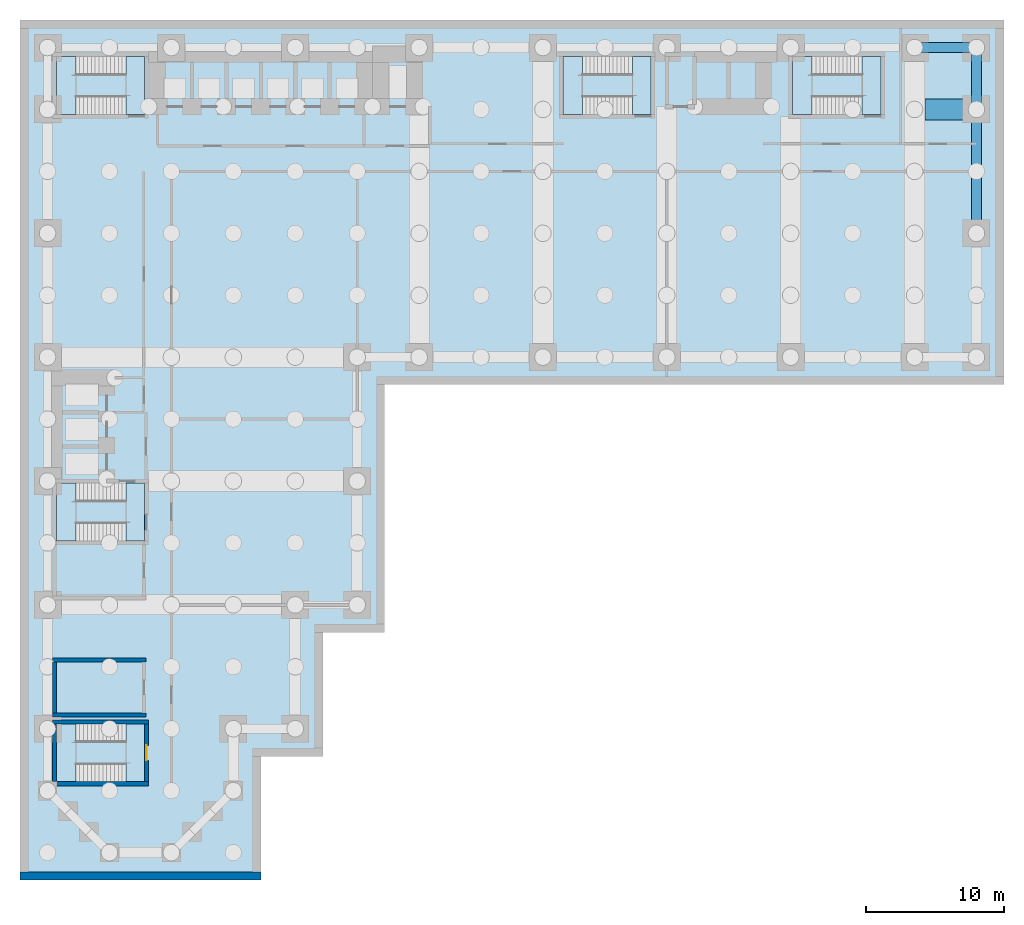
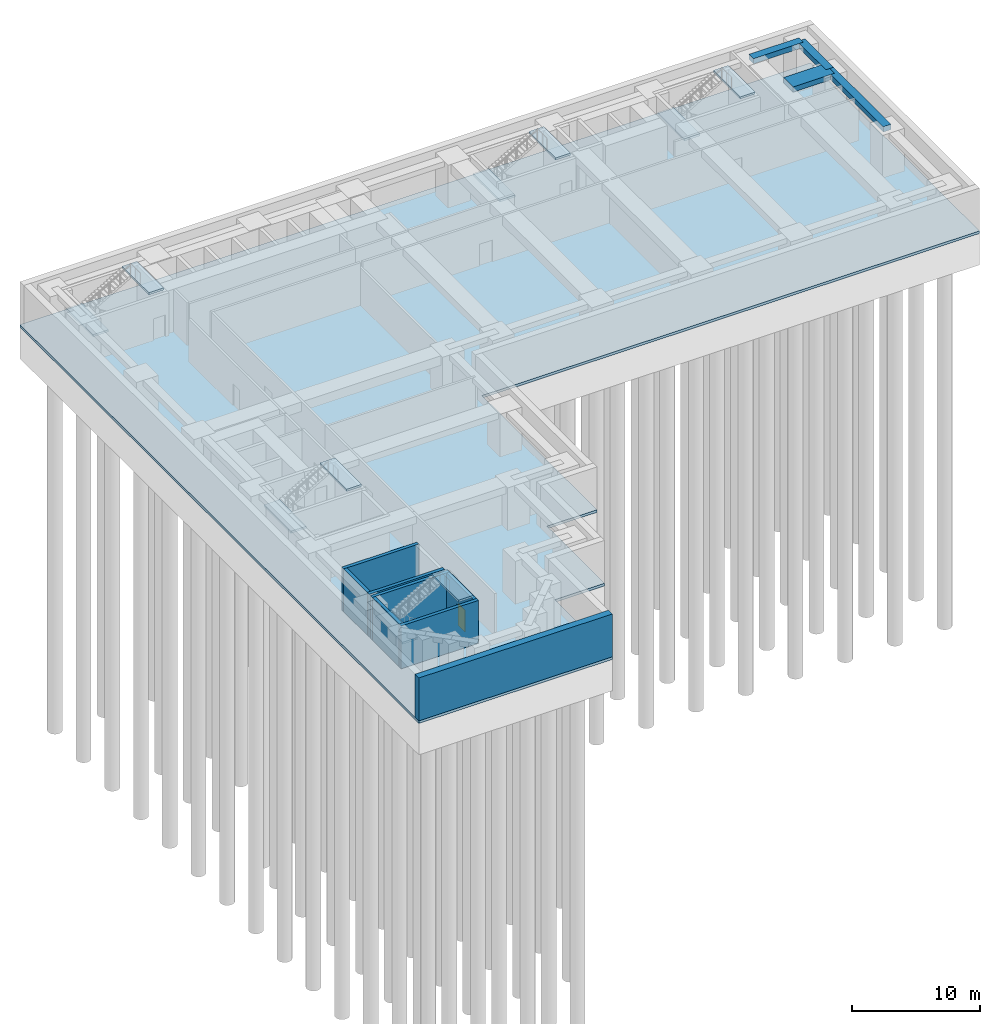
# One storey, part 2 of 7: 11 slabs, 8 walls, 4 beams, 1 door, 1 opening, 5 elements without a shape of their own.
"""IFC4 building model written with IfcOpenShell, lengths in metres."""

import ifcopenshell
import ifcopenshell.guid

model = None  # the IFC model being written
_history = None  # IfcOwnerHistory: only IFC2X3 demands one
_inside = {}  # id of a spatial element -> (the spatial element, [elements in it])
_under = {}  # id of a project, library or spatial element -> (it, [spatial elements below it])
_declared = {}  # id of a project -> (the project, [libraries it declares])
_typed = {}  # id of a type object -> (the type object, [elements of that type])
_made_of = {}  # id of a material, layer set ... -> (it, [elements and type objects made of it])


def new_model(schema):
    """Start an empty IFC model of exactly this schema.

    Asked for "IFC4X3", IfcOpenShell would pick the latest addendum, in which some entities
    have other attributes; the version numbers below select the first issue.
    IFC2X3 requires an IfcOwnerHistory on every rooted entity: one is made here for all.
    """
    global model, _history
    if schema == "IFC4X3":
        model = ifcopenshell.file(schema_version=(4, 3, 0, 0))
    else:
        model = ifcopenshell.file(schema=schema)
    _inside.clear()
    _under.clear()
    _declared.clear()
    _typed.clear()
    _made_of.clear()
    _history = None
    if model.schema == "IFC2X3":
        org = make("IfcOrganization", Name="unknown")
        user = make(
            "IfcPersonAndOrganization",
            ThePerson=make("IfcPerson", FamilyName="unknown"),
            TheOrganization=org,
        )
        app = make(
            "IfcApplication",
            ApplicationDeveloper=org,
            Version="unknown",
            ApplicationFullName="unknown",
            ApplicationIdentifier="unknown",
        )
        _history = make(
            "IfcOwnerHistory",
            OwningUser=user,
            OwningApplication=app,
            ChangeAction="ADDED",
            CreationDate=0,
        )
    return model


def make(cls, **values):
    """One entity of the class cls with the attributes given. An attribute that is None is left unset."""
    return model.create_entity(
        cls, **{name: value for name, value in values.items() if value is not None}
    )


def rooted(cls, **values):
    """An entity with a GlobalId (a new one), such as an element, a storey or a relation."""
    return make(cls, GlobalId=ifcopenshell.guid.new(), OwnerHistory=_history, **values)


def si_unit(unit_type, name, prefix=None):
    """IfcSIUnit, for example si_unit("LENGTHUNIT", "METRE", prefix="MILLI")."""
    return make("IfcSIUnit", UnitType=unit_type, Prefix=prefix, Name=name)


def assignment(units):
    """IfcUnitAssignment: the units of a project."""
    return None if units is None else make("IfcUnitAssignment", Units=units)


def point(xyz):
    """IfcCartesianPoint."""
    return None if xyz is None else make("IfcCartesianPoint", Coordinates=xyz)


def direction(xyz):
    """IfcDirection."""
    return None if xyz is None else make("IfcDirection", DirectionRatios=xyz)


def frame(location, z_axis=None, x_axis=None):
    """IfcAxis2Placement3D, a coordinate frame: its origin and axes. An axis left out is left unset."""
    return make(
        "IfcAxis2Placement3D",
        Location=point(location),
        Axis=direction(z_axis),
        RefDirection=direction(x_axis),
    )


def frame_2d(location, x_axis=None):
    """IfcAxis2Placement2D, a coordinate frame in the plane: its origin and x axis."""
    return make(
        "IfcAxis2Placement2D", Location=point(location), RefDirection=direction(x_axis)
    )


def origin():
    """The frame at (0, 0, 0) with its axes left unset."""
    return frame((0.0, 0.0, 0.0))


def origin_2d():
    """The frame at (0, 0) in the plane with its x axis left unset."""
    return frame_2d((0.0, 0.0))


def place(relative_to, where):
    """IfcLocalPlacement: puts the frame where relative to a parent placement (None: the world)."""
    return make(
        "IfcLocalPlacement", PlacementRelTo=relative_to, RelativePlacement=where
    )


def context(
    kind, dimensions, precision=None, world=None, true_north=None, identifier=None
):
    """IfcGeometricRepresentationContext, for example the 3D "Model" context."""
    return make(
        "IfcGeometricRepresentationContext",
        ContextIdentifier=identifier,
        ContextType=kind,
        CoordinateSpaceDimension=dimensions,
        Precision=precision,
        WorldCoordinateSystem=world,
        TrueNorth=true_north,
    )


def subcontext(parent, identifier, kind, view, scale=None):
    """IfcGeometricRepresentationSubContext, for example "Body" below "Model"."""
    return make(
        "IfcGeometricRepresentationSubContext",
        ContextIdentifier=identifier,
        ContextType=kind,
        ParentContext=parent,
        TargetScale=scale,
        TargetView=view,
    )


def project(units=None, contexts=None):
    """IfcProject with its units and contexts."""
    return rooted(
        "IfcProject",
        Name="project",
        RepresentationContexts=contexts,
        UnitsInContext=assignment(units),
    )


def spatial(cls, under=None, at=None, **own):
    """A site, building, storey or space (cls), placed at a placement, below another one or the project."""
    s = rooted(cls, ObjectPlacement=at, **own)
    if under is not None:
        _under.setdefault(under.id(), (under, []))[1].append(s)
    return s


def polyline(points):
    """IfcPolyline through the points."""
    return make("IfcPolyline", Points=[point(p) for p in points])


def profile(cls, at=None, kind="AREA", **sizes):
    """A parametric profile (cls). Its sizes go by their IFC names, for example OverallWidth=200.0."""
    return make(cls, ProfileType=kind, Position=at, **sizes)


def rectangle(**sizes):
    """IfcRectangleProfileDef."""
    return profile("IfcRectangleProfileDef", **sizes)


def outline(outer, holes=None, kind="AREA"):
    """IfcArbitraryClosedProfileDef: a profile drawn as a closed curve; with holes, ...WithVoids."""
    if holes is None:
        return make("IfcArbitraryClosedProfileDef", ProfileType=kind, OuterCurve=outer)
    return make(
        "IfcArbitraryProfileDefWithVoids",
        ProfileType=kind,
        OuterCurve=outer,
        InnerCurves=holes,
    )


def extrude(swept, where, along, depth):
    """IfcExtrudedAreaSolid: the profile swept, set in the frame where, extruded along a direction by depth."""
    return make(
        "IfcExtrudedAreaSolid",
        SweptArea=swept,
        Position=where,
        ExtrudedDirection=direction(along),
        Depth=depth,
    )


def shape(context_of_items, identifier, shape_type, items):
    """IfcShapeRepresentation: the items that make up one representation, for example the "Body"."""
    return make(
        "IfcShapeRepresentation",
        ContextOfItems=context_of_items,
        RepresentationIdentifier=identifier,
        RepresentationType=shape_type,
        Items=items,
    )


def material(Name=None, Category=None):
    """IfcMaterial."""
    return make("IfcMaterial", Name=Name, Category=Category)


def layer(
    of_material, thickness, ventilated=None, Name=None, Category=None, Priority=None
):
    """IfcMaterialLayer: one layer of a wall or slab, of a material (None: an air gap)."""
    return make(
        "IfcMaterialLayer",
        Material=of_material,
        LayerThickness=thickness,
        IsVentilated=ventilated,
        Name=Name,
        Category=Category,
        Priority=Priority,
    )


def layer_set(layers, Name=None):
    """IfcMaterialLayerSet."""
    return make("IfcMaterialLayerSet", MaterialLayers=layers, LayerSetName=Name)


def material_profile(
    of_material, cross_section, Name=None, Category=None, Priority=None
):
    """IfcMaterialProfile: a cross section and its material."""
    return make(
        "IfcMaterialProfile",
        Name=Name,
        Material=of_material,
        Profile=cross_section,
        Priority=Priority,
        Category=Category,
    )


def profile_set(profiles, Name=None, composite=None):
    """IfcMaterialProfileSet."""
    return make(
        "IfcMaterialProfileSet",
        Name=Name,
        MaterialProfiles=profiles,
        CompositeProfile=composite,
    )


def made_of(thing, what):
    """Note that an element or type object is made of a material, layer set ...; save() writes the relation."""
    if what is not None:
        _made_of.setdefault(what.id(), (what, []))[1].append(thing)
    return thing


def type_object(cls, material=None, **own):
    """A type object (cls), such as IfcWallType, which elements share."""
    return made_of(rooted(cls, **own), material)


def element(
    cls,
    number,
    at=None,
    inside=None,
    cuts=None,
    type_object=None,
    material=None,
    context=None,
    identifier="Body",
    shape_type=None,
    held_by="IfcProductDefinitionShape",
    body=None,
    shapes=None,
    **own,
):
    """One element of the class cls, such as IfcWall. Its Tag is "e" and its number.

    at: its placement. inside: the storey or other place that contains it. cuts: it is an
    opening in that element (IfcRelVoidsElement). A single representation is given by context,
    identifier, shape_type and body (its items); several are given by shapes. held_by: the class
    of the entity that holds the representations. save() writes the other relations.
    """
    e = rooted(cls, Tag="e%d" % number, ObjectPlacement=at, **own)
    if body is not None:
        shapes = [shape(context, identifier, shape_type, body)]
    if shapes is not None:
        e.Representation = make(held_by, Representations=shapes)
    if inside is not None:
        _inside.setdefault(inside.id(), (inside, []))[1].append(e)
    if cuts is not None:
        rooted(
            "IfcRelVoidsElement", RelatingBuildingElement=cuts, RelatedOpeningElement=e
        )
    if type_object is not None:
        _typed.setdefault(type_object.id(), (type_object, []))[1].append(e)
    return made_of(e, material)


def fill(opening, filler):
    """IfcRelFillsElement: the door or window that sits in an opening."""
    return rooted(
        "IfcRelFillsElement",
        RelatingOpeningElement=opening,
        RelatedBuildingElement=filler,
    )


def aggregate(whole, parts):
    """IfcRelAggregates: a whole, such as a stair, and the parts it consists of."""
    return rooted("IfcRelAggregates", RelatingObject=whole, RelatedObjects=parts)


def save(model, path):
    """Write the relations noted so far, then the file.

    IfcRelAggregates (storeys below a building ...), IfcRelContainedInSpatialStructure (elements
    in a storey), IfcRelDefinesByType, IfcRelAssociatesMaterial and IfcRelDeclares: one each for
    every whole, place, type object, material and project.
    """
    for whole, parts in _under.values():
        aggregate(whole, parts)
    for where, things in _inside.values():
        rooted(
            "IfcRelContainedInSpatialStructure",
            RelatedElements=things,
            RelatingStructure=where,
        )
    for kind, things in _typed.values():
        rooted("IfcRelDefinesByType", RelatedObjects=things, RelatingType=kind)
    for what, things in _made_of.values():
        rooted("IfcRelAssociatesMaterial", RelatedObjects=things, RelatingMaterial=what)
    for by, libraries in _declared.values():
        rooted("IfcRelDeclares", RelatingContext=by, RelatedDefinitions=libraries)
    model.write(path)


model = new_model("IFC4")

# Units and contexts
model_context = context("Model", 3, precision=1e-05, world=origin(), true_north=direction((0.0, 1.0)))
body_context = subcontext(model_context, "Body", "Model", "MODEL_VIEW")
ifc_project = project(units=[si_unit("LENGTHUNIT", "METRE"), si_unit("AREAUNIT", "SQUARE_METRE"), si_unit("VOLUMEUNIT", "CUBIC_METRE"), si_unit("PLANEANGLEUNIT", "RADIAN"), si_unit("MASSUNIT", "GRAM", prefix="KILO")], contexts=[model_context])

# Site, building, storey
site_placement = place(None, origin())
site = spatial("IfcSite", under=ifc_project, at=site_placement, CompositionType="ELEMENT")
building_placement = place(site_placement, origin())
building = spatial("IfcBuilding", under=site, at=building_placement, Name="Firuza Court", CompositionType="ELEMENT")
storey_placement = place(building_placement, frame((0.0, 0.0, -9.0)))
storey = spatial("IfcBuildingStorey", under=building, at=storey_placement, Name="B2", CompositionType="ELEMENT", Elevation=-9.0)

# Beams
ifc_material_1 = material(Name="Concrete C40/50", Category="concrete")
ifc_material_profile_1 = material_profile(ifc_material_1, rectangle(XDim=1.5, YDim=0.5, at=origin_2d()), Name="RC 1500x500")
ifc_profile_set_1 = profile_set([ifc_material_profile_1], Name="Concrete C40/50")
beam_type_1 = type_object("IfcBeamType", Name="Band beam RC 1500x500 C40/50", PredefinedType="BEAM", material=ifc_profile_set_1)
beam_1_placement = place(storey_placement, frame((67.5, 54.0, 3.85009765625), z_axis=(-1.0, 0.0, 0.0), x_axis=(0.0, -1.0, 0.0)))
element("IfcBeam", 1, at=beam_1_placement, inside=storey, type_object=beam_type_1, Name="Band beam FB4 level B1", PredefinedType="BEAM", context=body_context, shape_type="SweptSolid", body=[
    extrude(rectangle(XDim=1.5, YDim=0.5, at=origin_2d()), origin(), (0.0, 0.0, 1.0), 3.75),
])
ifc_material_2 = material(Name="Concrete C40/50", Category="concrete")
ifc_material_profile_2 = material_profile(ifc_material_2, rectangle(XDim=0.699951171875, YDim=0.5, at=origin_2d()), Name="RC 700x500")
ifc_profile_set_2 = profile_set([ifc_material_profile_2], Name="Concrete C40/50")
beam_type_2 = type_object("IfcBeamType", Name="Spandrel beam RC 700x500 C40/50", PredefinedType="BEAM", material=ifc_profile_set_2)
beam_2_placement = place(storey_placement, frame((67.5, 45.0, 3.85009765625), z_axis=(0.0, 1.0, 0.0), x_axis=(-1.0, 0.0, 0.0)))
element("IfcBeam", 2, at=beam_2_placement, inside=storey, type_object=beam_type_2, Name="Spandrel beam SP2 level B1", PredefinedType="BEAM", context=body_context, shape_type="SweptSolid", body=[
    extrude(rectangle(XDim=0.699951171875, YDim=0.5, at=origin_2d()), origin(), (0.0, 0.0, 1.0), 9.0),
])
for number, where, z_axis, x_axis, name in (
    (3, (67.5, 54.0, 3.85009765625), (0.0, 1.0, 0.0), (-1.0, 0.0, 0.0), "Spandrel beam SP2 level B1"),
    (4, (67.5, 58.5, 3.85009765625), (-1.0, 0.0, 0.0), (0.0, -1.0, 0.0), "Spandrel beam SP2 level B1"),
):
    element("IfcBeam", number, at=place(storey_placement, frame(where, z_axis=z_axis, x_axis=x_axis)), inside=storey, type_object=beam_type_2, Name=name, PredefinedType="BEAM", context=body_context, shape_type="SweptSolid", body=[
        extrude(rectangle(XDim=0.699951171875, YDim=0.5, at=origin_2d()), origin(), (0.0, 0.0, 1.0), 4.5),
    ])

# Slab
ifc_material_3 = material(Name="Concrete C35/45", Category="concrete")
ifc_layer_1 = layer(ifc_material_3, 0.25)
ifc_layer_set_1 = layer_set([ifc_layer_1], Name="Concrete C35/45")
slab_type_1 = type_object("IfcSlabType", Name="Basement floor slab 250", PredefinedType="BASESLAB", material=ifc_layer_set_1)
slab_1_placement = place(storey_placement, frame((0.0, 0.0, -0.25)))
element("IfcSlab", 5, at=slab_1_placement, inside=storey, type_object=slab_type_1, Name="B2 floor slab", PredefinedType="BASESLAB", context=body_context, shape_type="SweptSolid", body=[
    extrude(outline(polyline([(15.5, -2.0), (15.5, 7.0), (20.0, 7.0), (20.0, 16.0), (24.5, 16.0), (24.5, 34.0), (69.5, 34.0), (69.5, 60.5), (-2.0, 60.5), (-2.0, -2.0), (15.5, -2.0)])), origin(), (0.0, 0.0, 1.0), 0.25),
])

# Stair, slabs
ifc_material_4 = material(Name="Concrete C40/50 precast", Category="concrete")
stair_type = type_object("IfcStairType", Name="Stair 1350 x 4500 2 flights", PredefinedType="HALF_TURN_STAIR", material=ifc_material_4)
stair_1_placement = place(storey_placement, origin())
stair_1 = element("IfcStair", 6, at=stair_1_placement, inside=storey, type_object=stair_type, Name="Stair 1 B2", PredefinedType="HALF_TURN_STAIR")
ifc_material_5 = material(Name="Concrete C40/50 precast", Category="concrete")
ifc_layer_2 = layer(ifc_material_5, 0.199951171875)
ifc_layer_set_2 = layer_set([ifc_layer_2], Name="Concrete C40/50 precast")
slab_type_2 = type_object("IfcSlabType", Name="Stair landing 200", PredefinedType="LANDING", material=ifc_layer_set_2)
slab_2_placement = place(storey_placement, frame((0.0, 0.0, 2.050048828125)))
slab_2 = element("IfcSlab", 7, at=slab_2_placement, type_object=slab_type_2, Name="S1 landing 1", PredefinedType="LANDING", context=body_context, shape_type="SweptSolid", body=[
    extrude(outline(polyline([(38.860107421875, 53.64990234375), (38.860107421875, 57.85009765625), (37.449951171875, 57.85009765625), (37.449951171875, 53.64990234375), (38.860107421875, 53.64990234375)])), origin(), (0.0, 0.0, 1.0), 0.199951171875),
])
slab_3_placement = place(storey_placement, frame((0.0, 0.0, 4.300048828125)))
slab_3 = element("IfcSlab", 8, at=slab_3_placement, type_object=slab_type_2, Name="S1 landing 2", PredefinedType="LANDING", context=body_context, shape_type="SweptSolid", body=[
    extrude(outline(polyline([(43.85009765625, 53.64990234375), (43.85009765625, 57.85009765625), (42.5, 57.85009765625), (42.5, 53.64990234375), (43.85009765625, 53.64990234375)])), origin(), (0.0, 0.0, 1.0), 0.199951171875),
])
aggregate(stair_1, [slab_2, slab_3])

stair_2_placement = place(storey_placement, origin())
stair_2 = element("IfcStair", 9, at=stair_2_placement, inside=storey, type_object=stair_type, Name="Stair 2 B2", PredefinedType="HALF_TURN_STAIR")
slab_4_placement = place(storey_placement, frame((0.0, 0.0, 2.050048828125)))
slab_4 = element("IfcSlab", 10, at=slab_4_placement, type_object=slab_type_2, Name="S2 landing 1", PredefinedType="LANDING", context=body_context, shape_type="SweptSolid", body=[
    extrude(outline(polyline([(2.06005859375, 22.64990234375), (2.06005859375, 26.85009765625), (0.64990234375, 26.85009765625), (0.64990234375, 22.64990234375), (2.06005859375, 22.64990234375)])), origin(), (0.0, 0.0, 1.0), 0.199951171875),
])
slab_5_placement = place(storey_placement, frame((0.0, 0.0, 4.300048828125)))
slab_5 = element("IfcSlab", 11, at=slab_5_placement, type_object=slab_type_2, Name="S2 landing 2", PredefinedType="LANDING", context=body_context, shape_type="SweptSolid", body=[
    extrude(outline(polyline([(7.050048828125, 22.64990234375), (7.050048828125, 26.85009765625), (5.699951171875, 26.85009765625), (5.699951171875, 22.64990234375), (7.050048828125, 22.64990234375)])), origin(), (0.0, 0.0, 1.0), 0.199951171875),
])
aggregate(stair_2, [slab_4, slab_5])

stair_3_placement = place(storey_placement, origin())
stair_3 = element("IfcStair", 12, at=stair_3_placement, inside=storey, type_object=stair_type, Name="Stair 3 B2", PredefinedType="HALF_TURN_STAIR")
slab_6_placement = place(storey_placement, frame((0.0, 0.0, 2.050048828125)))
slab_6 = element("IfcSlab", 13, at=slab_6_placement, type_object=slab_type_2, Name="S3 landing 1", PredefinedType="LANDING", context=body_context, shape_type="SweptSolid", body=[
    extrude(outline(polyline([(2.06005859375, 53.64990234375), (2.06005859375, 57.85009765625), (0.64990234375, 57.85009765625), (0.64990234375, 53.64990234375), (2.06005859375, 53.64990234375)])), origin(), (0.0, 0.0, 1.0), 0.199951171875),
])
slab_7_placement = place(storey_placement, frame((0.0, 0.0, 4.300048828125)))
slab_7 = element("IfcSlab", 14, at=slab_7_placement, type_object=slab_type_2, Name="S3 landing 2", PredefinedType="LANDING", context=body_context, shape_type="SweptSolid", body=[
    extrude(outline(polyline([(7.050048828125, 53.64990234375), (7.050048828125, 57.85009765625), (5.699951171875, 57.85009765625), (5.699951171875, 53.64990234375), (7.050048828125, 53.64990234375)])), origin(), (0.0, 0.0, 1.0), 0.199951171875),
])
aggregate(stair_3, [slab_6, slab_7])

stair_4_placement = place(storey_placement, origin())
stair_4 = element("IfcStair", 15, at=stair_4_placement, inside=storey, type_object=stair_type, Name="Stair 4 B2", PredefinedType="HALF_TURN_STAIR")
slab_8_placement = place(storey_placement, frame((0.0, 0.0, 2.050048828125)))
slab_8 = element("IfcSlab", 16, at=slab_8_placement, type_object=slab_type_2, Name="S4 landing 1", PredefinedType="LANDING", context=body_context, shape_type="SweptSolid", body=[
    extrude(outline(polyline([(55.56005859375, 53.64990234375), (55.56005859375, 57.85009765625), (54.14990234375, 57.85009765625), (54.14990234375, 53.64990234375), (55.56005859375, 53.64990234375)])), origin(), (0.0, 0.0, 1.0), 0.199951171875),
])
slab_9_placement = place(storey_placement, frame((0.0, 0.0, 4.300048828125)))
slab_9 = element("IfcSlab", 17, at=slab_9_placement, type_object=slab_type_2, Name="S4 landing 2", PredefinedType="LANDING", context=body_context, shape_type="SweptSolid", body=[
    extrude(outline(polyline([(60.550048828125, 53.64990234375), (60.550048828125, 57.85009765625), (59.199951171875, 57.85009765625), (59.199951171875, 53.64990234375), (60.550048828125, 53.64990234375)])), origin(), (0.0, 0.0, 1.0), 0.199951171875),
])
aggregate(stair_4, [slab_8, slab_9])

stair_5_placement = place(storey_placement, origin())
stair_5 = element("IfcStair", 18, at=stair_5_placement, inside=storey, type_object=stair_type, Name="Stair 5 B2", PredefinedType="HALF_TURN_STAIR")
slab_10_placement = place(storey_placement, frame((0.0, 0.0, 2.050048828125)))
slab_10 = element("IfcSlab", 19, at=slab_10_placement, type_object=slab_type_2, Name="S5 landing 1", PredefinedType="LANDING", context=body_context, shape_type="SweptSolid", body=[
    extrude(outline(polyline([(2.06005859375, 5.14990234375), (2.06005859375, 9.35009765625), (0.64990234375, 9.35009765625), (0.64990234375, 5.14990234375), (2.06005859375, 5.14990234375)])), origin(), (0.0, 0.0, 1.0), 0.199951171875),
])
slab_11_placement = place(storey_placement, frame((0.0, 0.0, 4.300048828125)))
slab_11 = element("IfcSlab", 20, at=slab_11_placement, type_object=slab_type_2, Name="S5 landing 2", PredefinedType="LANDING", context=body_context, shape_type="SweptSolid", body=[
    extrude(outline(polyline([(7.050048828125, 5.14990234375), (7.050048828125, 9.35009765625), (5.699951171875, 9.35009765625), (5.699951171875, 5.14990234375), (7.050048828125, 5.14990234375)])), origin(), (0.0, 0.0, 1.0), 0.199951171875),
])
aggregate(stair_5, [slab_10, slab_11])

# Walls
ifc_layer_3 = layer(ifc_material_3, 0.300048828125)
ifc_layer_set_3 = layer_set([ifc_layer_3], Name="Concrete C35/45")
wall_type_1 = type_object("IfcWallType", Name="Basement core wall 300", PredefinedType="SHEAR", material=ifc_layer_set_3)
for number, where, z_axis, x_axis, name in (
    (21, (0.35009765625, 5.0, 0.0), (0.0, 0.0, 1.0), (1.0, 0.0, 0.0), "Core wall B2 001"),
    (22, (0.35009765625, 9.5, 0.0), (0.0, 0.0, 1.0), (1.0, 0.0, 0.0), "Core wall B2 002"),
):
    element("IfcWall", number, at=place(storey_placement, frame(where, z_axis=z_axis, x_axis=x_axis)), inside=storey, type_object=wall_type_1, Name=name, PredefinedType="SHEAR", context=body_context, shape_type="SweptSolid", body=[
        extrude(rectangle(XDim=7.0, YDim=0.300048828125, at=frame_2d((3.5, 0.0))), origin(), (0.0, 0.0, 1.0), 4.10009765625),
    ])
for number, where, z_axis, x_axis, name in (
    (23, (0.35009765625, 10.0, 0.0), (0.0, 0.0, 1.0), (1.0, 0.0, 0.0), "Core wall B2 003"),
    (24, (0.35009765625, 14.0, 0.0), (0.0, 0.0, 1.0), (1.0, 0.0, 0.0), "Core wall B2 004"),
):
    element("IfcWall", number, at=place(storey_placement, frame(where, z_axis=z_axis, x_axis=x_axis)), inside=storey, type_object=wall_type_1, Name=name, PredefinedType="SHEAR", context=body_context, shape_type="SweptSolid", body=[
        extrude(rectangle(XDim=6.7998046875, YDim=0.300048828125, at=frame_2d((3.39990234375, 0.0))), origin(), (0.0, 0.0, 1.0), 4.10009765625),
    ])
wall_1_placement = place(storey_placement, frame((0.5, 5.14990234375, 0.0), z_axis=(0.0, 0.0, 1.0), x_axis=(0.0, 1.0, 0.0)))
element("IfcWall", 25, at=wall_1_placement, inside=storey, type_object=wall_type_1, Name="Core wall B2 027", PredefinedType="SHEAR", context=body_context, shape_type="SweptSolid", body=[
    extrude(rectangle(XDim=4.2001953125, YDim=0.300048828125, at=frame_2d((2.10009765625, 0.0))), origin(), (0.0, 0.0, 1.0), 4.10009765625),
])
wall_2_placement = place(storey_placement, frame((0.5, 10.14990234375, 0.0), z_axis=(0.0, 0.0, 1.0), x_axis=(0.0, 1.0, 0.0)))
element("IfcWall", 26, at=wall_2_placement, inside=storey, type_object=wall_type_1, Name="Core wall B2 028", PredefinedType="SHEAR", context=body_context, shape_type="SweptSolid", body=[
    extrude(rectangle(XDim=3.7001953125, YDim=0.300048828125, at=frame_2d((1.85009765625, 0.0))), origin(), (0.0, 0.0, 1.0), 4.10009765625),
])

# Wall, opening, door
wall_3_placement = place(storey_placement, frame((7.199951171875, 5.14990234375, 0.0), z_axis=(0.0, 0.0, 1.0), x_axis=(0.0, 1.0, 0.0)))
wall_3 = element("IfcWall", 27, at=wall_3_placement, inside=storey, type_object=wall_type_1, Name="Core wall B2 036", PredefinedType="SHEAR", context=body_context, shape_type="SweptSolid", body=[
    extrude(rectangle(XDim=4.2001953125, YDim=0.300048828125, at=frame_2d((2.10009765625, 0.0))), origin(), (0.0, 0.0, 1.0), 4.10009765625),
])
opening_placement = place(wall_3_placement, frame((1.550048828125, 0.0, 0.0)))
opening = element("IfcOpeningElement", 28, at=opening_placement, cuts=wall_3, Name="Opening DB2014", PredefinedType="OPENING", context=body_context, shape_type="SweptSolid", body=[
    extrude(rectangle(XDim=1.10009765625, YDim=2.10009765625, at=frame_2d((0.550048828125, 1.050048828125))), frame((0.0, 0.162109375, 0.0), z_axis=(0.0, -1.0, 0.0), x_axis=(1.0, 0.0, 0.0)), (0.0, 0.0, 1.0), 0.323974609375),
])
ifc_material_6 = material(Name="Timber door leaf in hardwood frame", Category="wood")
door_type = type_object("IfcDoorType", Name="Stair door 1100", OperationType="SINGLE_SWING_LEFT", PredefinedType="DOOR", material=ifc_material_6)
door_placement = place(opening_placement, origin())
door = element("IfcDoor", 29, at=door_placement, inside=storey, type_object=door_type, Name="Stair door S5", OperationType="SINGLE_SWING_LEFT", OverallHeight=2.10009765625, OverallWidth=1.10009765625, PredefinedType="DOOR", context=body_context, shape_type="SweptSolid", body=[
    extrude(rectangle(XDim=1.10009765625, YDim=2.10009765625, at=frame_2d((0.550048828125, 1.050048828125))), frame((0.0, 0.02490234375, 0.0), z_axis=(0.0, -1.0, 0.0), x_axis=(1.0, 0.0, 0.0)), (0.0, 0.0, 1.0), 0.050048828125),
])
fill(opening, door)

# Wall
ifc_layer_4 = layer(ifc_material_3, 0.60009765625)
ifc_layer_set_4 = layer_set([ifc_layer_4], Name="Concrete C35/45")
wall_type_2 = type_object("IfcWallType", Name="Retaining wall 600", PredefinedType="SOLIDWALL", material=ifc_layer_set_4)
wall_4_placement = place(storey_placement, frame((15.5, -1.699951171875, 0.0), z_axis=(0.0, 0.0, 1.0), x_axis=(-1.0, 0.0, 0.0)))
element("IfcWall", 30, at=wall_4_placement, inside=storey, type_object=wall_type_2, Name="Basement retaining wall B2 10", PredefinedType="SOLIDWALL", context=body_context, shape_type="SweptSolid", body=[
    extrude(rectangle(XDim=17.5, YDim=0.60009765625, at=frame_2d((8.75, 0.0))), origin(), (0.0, 0.0, 1.0), 4.10009765625),
])

save(model, "model.ifc")
